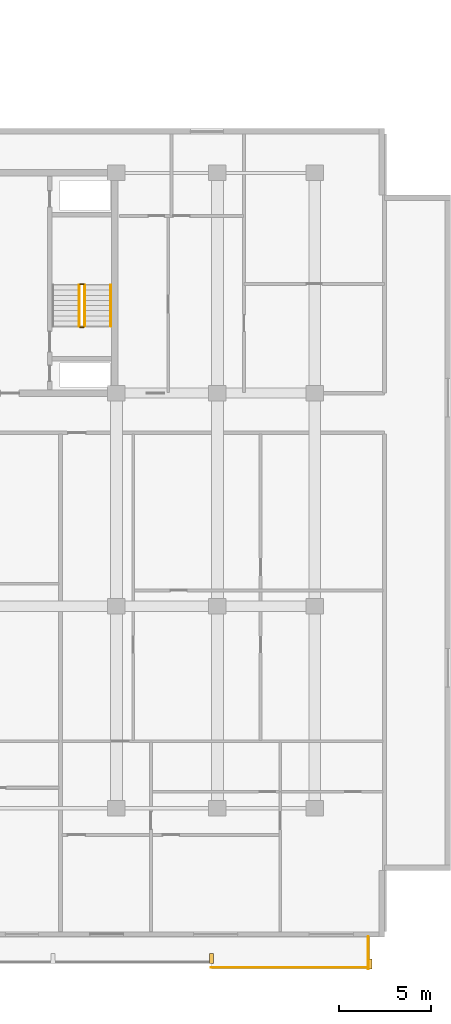
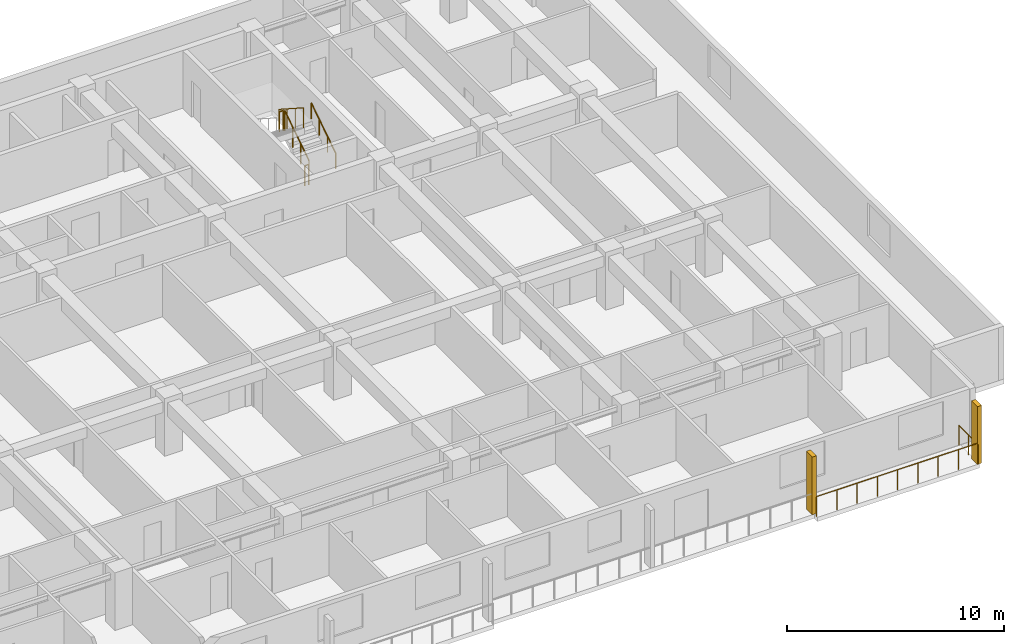
# One storey, part 21 of 23: 7 railings, 2 shading devices.
"""IFC4 building model written with IfcOpenShell, lengths in metres."""

from ifc_helpers import new_model, si_unit, direction, frame, origin, origin_2d, place, context, subcontext, project, spatial, rectangle, circle, extrude, material, type_object, element, save


model = new_model("IFC4")

# Units and contexts
model_context = context("Model", 3, precision=1e-05, world=origin(), true_north=direction((0.0, 1.0)))
body_context = subcontext(model_context, "Body", "Model", "MODEL_VIEW")
ifc_project = project(units=[si_unit("LENGTHUNIT", "METRE"), si_unit("AREAUNIT", "SQUARE_METRE"), si_unit("VOLUMEUNIT", "CUBIC_METRE"), si_unit("PLANEANGLEUNIT", "RADIAN"), si_unit("MASSUNIT", "GRAM", prefix="KILO")], contexts=[model_context])

# Site, building, storey
site_placement = place(None, origin())
site = spatial("IfcSite", under=ifc_project, at=site_placement, CompositionType="ELEMENT")
building_placement = place(site_placement, origin())
building = spatial("IfcBuilding", under=site, at=building_placement, Name="Korimba Cascade Residences", CompositionType="ELEMENT")
storey_placement = place(building_placement, frame((0.0, 0.0, 59.75)))
storey = spatial("IfcBuildingStorey", under=building, at=storey_placement, Name="L16", CompositionType="ELEMENT", Elevation=59.75)

# Railings
ifc_material_1 = material(Name="Laminated Glass and Bronze Balustrade", Category="glass")
railing_type_1 = type_object("IfcRailingType", Name="RLG-LOG-1150", PredefinedType="BALUSTRADE", material=ifc_material_1)
railing_1_placement = place(storey_placement, frame((123.271484375, -12.8701171875, 0.0)))
element("IfcRailing", 1, at=railing_1_placement, inside=storey, type_object=railing_type_1, Name="L16 Perimeter Guardrail RLG-L16-T2-LOG-06", PredefinedType="BALUSTRADE", context=body_context, shape_type="SweptSolid", body=[
    extrude(circle(Radius=0.02392578125, at=origin_2d()), frame((0.0, 0.0, 1.1259765625), z_axis=(1.0, 0.0, 0.0), x_axis=(0.0, 1.0, 0.0)), (0.0, 0.0, 1.0), 8.62841796875),
    extrude(circle(Radius=0.02099609375, at=origin_2d()), origin(), (0.0, 0.0, 1.0), 1.101806640625),
    extrude(circle(Radius=0.02099609375, at=origin_2d()), frame((1.07861328125, 0.0, 0.0)), (0.0, 0.0, 1.0), 1.101806640625),
    extrude(circle(Radius=0.02099609375, at=origin_2d()), frame((2.1572265625, 0.0, 0.0)), (0.0, 0.0, 1.0), 1.101806640625),
    extrude(circle(Radius=0.02099609375, at=origin_2d()), frame((3.235595703125, 0.0, 0.0)), (0.0, 0.0, 1.0), 1.101806640625),
    extrude(circle(Radius=0.02099609375, at=origin_2d()), frame((4.314208984375, 0.0, 0.0)), (0.0, 0.0, 1.0), 1.101806640625),
    extrude(circle(Radius=0.02099609375, at=origin_2d()), frame((5.392822265625, 0.0, 0.0)), (0.0, 0.0, 1.0), 1.101806640625),
    extrude(circle(Radius=0.02099609375, at=origin_2d()), frame((6.47119140625, 0.0, 0.0)), (0.0, 0.0, 1.0), 1.101806640625),
    extrude(circle(Radius=0.02099609375, at=origin_2d()), frame((7.5498046875, 0.0, 0.0)), (0.0, 0.0, 1.0), 1.101806640625),
    extrude(circle(Radius=0.02099609375, at=origin_2d()), frame((8.62841796875, 0.0, 0.0)), (0.0, 0.0, 1.0), 1.101806640625),
])
railing_2_placement = place(storey_placement, frame((131.820068359375, -12.949951171875, 0.0)))
element("IfcRailing", 2, at=railing_2_placement, inside=storey, type_object=railing_type_1, Name="L16 Perimeter Guardrail RLG-L16-T2-LOG-07", PredefinedType="BALUSTRADE", context=body_context, shape_type="SweptSolid", body=[
    extrude(circle(Radius=0.02392578125, at=origin_2d()), frame((0.0, 0.0, 1.1259765625), z_axis=(0.0, 1.0, 0.0), x_axis=(-1.0, 0.0, 0.0)), (0.0, 0.0, 1.0), 1.75),
    extrude(circle(Radius=0.02099609375, at=origin_2d()), origin(), (0.0, 0.0, 1.0), 1.101806640625),
    extrude(circle(Radius=0.02099609375, at=origin_2d()), frame((0.0, 0.875, 0.0)), (0.0, 0.0, 1.0), 1.101806640625),
    extrude(circle(Radius=0.02099609375, at=origin_2d()), frame((0.0, 1.75, 0.0)), (0.0, 0.0, 1.0), 1.101806640625),
])
ifc_material_2 = material(Name="Painted Steel Stairwell Guardrail", Category="steel")
railing_type_2 = type_object("IfcRailingType", Name="RLG-ST-GD1150", PredefinedType="GUARDRAIL", material=ifc_material_2)
railing_3_placement = place(storey_placement, frame((116.3701171875, 22.050048828125, 0.1806640625)))
element("IfcRailing", 3, at=railing_3_placement, inside=storey, type_object=railing_type_2, Name="L16 ST-E2 stair guard 1", PredefinedType="GUARDRAIL", context=body_context, shape_type="SweptSolid", body=[
    extrude(circle(Radius=0.02392578125, at=origin_2d()), frame((0.0, 0.0, 1.1259765625), z_axis=(0.0, 0.840436612492, 0.541909863706), x_axis=(-1.0, 0.0, 0.0)), (0.0, 0.0, 1.0), 2.665283203125),
    extrude(circle(Radius=0.02099609375, at=origin_2d()), origin(), (0.0, 0.0, 1.0), 1.101806640625),
    extrude(circle(Radius=0.02099609375, at=origin_2d()), frame((0.0, 0.74658203125, 0.4814453125)), (0.0, 0.0, 1.0), 1.101806640625),
    extrude(circle(Radius=0.02099609375, at=origin_2d()), frame((0.0, 1.493408203125, 0.962890625)), (0.0, 0.0, 1.0), 1.101806640625),
    extrude(circle(Radius=0.02099609375, at=origin_2d()), frame((0.0, 2.239990234375, 1.4443359375)), (0.0, 0.0, 1.0), 1.101806640625),
])
railing_4_placement = place(storey_placement, frame((116.320068359375, 24.340087890625, 1.625)))
element("IfcRailing", 4, at=railing_4_placement, inside=storey, type_object=railing_type_2, Name="L16 ST-E2 stair guard 2", PredefinedType="GUARDRAIL", context=body_context, shape_type="SweptSolid", body=[
    extrude(circle(Radius=0.02392578125, at=origin_2d()), frame((0.0, 0.0, 1.1259765625), z_axis=(-1.0, 0.0, 0.0), x_axis=(0.0, -1.0, 0.0)), (0.0, 0.0, 1.0), 0.199951171875),
    extrude(circle(Radius=0.02099609375, at=origin_2d()), origin(), (0.0, 0.0, 1.0), 1.101806640625),
    extrude(circle(Radius=0.02099609375, at=origin_2d()), frame((-0.199951171875, 0.0, 0.0)), (0.0, 0.0, 1.0), 1.101806640625),
])
railing_5_placement = place(storey_placement, frame((116.070068359375, 24.2900390625, 1.8056640625)))
element("IfcRailing", 5, at=railing_5_placement, inside=storey, type_object=railing_type_2, Name="L16 ST-E2 stair guard 3", PredefinedType="GUARDRAIL", context=body_context, shape_type="SweptSolid", body=[
    extrude(circle(Radius=0.02392578125, at=origin_2d()), frame((0.0, 0.0, 1.1259765625), z_axis=(0.0, -0.840436612492, 0.541909863706), x_axis=(1.0, 0.0, 0.0)), (0.0, 0.0, 1.0), 2.665283203125),
    extrude(circle(Radius=0.02099609375, at=origin_2d()), origin(), (0.0, 0.0, 1.0), 1.101806640625),
    extrude(circle(Radius=0.02099609375, at=origin_2d()), frame((0.0, -0.74658203125, 0.4814453125)), (0.0, 0.0, 1.0), 1.101806640625),
    extrude(circle(Radius=0.02099609375, at=origin_2d()), frame((0.0, -1.493408203125, 0.962890625)), (0.0, 0.0, 1.0), 1.101806640625),
    extrude(circle(Radius=0.02099609375, at=origin_2d()), frame((0.0, -2.239990234375, 1.4443359375)), (0.0, 0.0, 1.0), 1.101806640625),
])
railing_6_placement = place(storey_placement, frame((116.320068359375, 22.0, 0.0)))
element("IfcRailing", 6, at=railing_6_placement, inside=storey, type_object=railing_type_2, Name="L16 ST-E2 stair guard 4", PredefinedType="GUARDRAIL", context=body_context, shape_type="SweptSolid", body=[
    extrude(circle(Radius=0.02392578125, at=origin_2d()), frame((0.0, 0.0, 1.1259765625), z_axis=(-1.0, 0.0, 0.0), x_axis=(0.0, -1.0, 0.0)), (0.0, 0.0, 1.0), 0.199951171875),
    extrude(circle(Radius=0.02099609375, at=origin_2d()), origin(), (0.0, 0.0, 1.0), 1.101806640625),
    extrude(circle(Radius=0.02099609375, at=origin_2d()), frame((-0.199951171875, 0.0, 0.0)), (0.0, 0.0, 1.0), 1.101806640625),
])
ifc_material_3 = material(Name="Brushed Stainless Steel Handrail", Category="steel")
railing_type_3 = type_object("IfcRailingType", Name="RLG-ST-HR900", PredefinedType="HANDRAIL", material=ifc_material_3)
railing_7_placement = place(storey_placement, frame((117.7900390625, 22.050048828125, 0.364990234375)))
element("IfcRailing", 7, at=railing_7_placement, inside=storey, type_object=railing_type_3, Name="L16 ST-E2 stair handrail 1", PredefinedType="HANDRAIL", context=body_context, shape_type="SweptSolid", body=[
    extrude(circle(Radius=0.02392578125, at=origin_2d()), frame((0.0, 0.0, 0.8759765625), z_axis=(0.0, 0.840436612492, 0.541909863706), x_axis=(-1.0, 0.0, 0.0)), (0.0, 0.0, 1.0), 2.665283203125),
    extrude(circle(Radius=0.02099609375, at=origin_2d()), origin(), (0.0, 0.0, 1.0), 0.851806640625),
    extrude(circle(Radius=0.02099609375, at=origin_2d()), frame((0.0, 0.74658203125, 0.4814453125)), (0.0, 0.0, 1.0), 0.851806640625),
    extrude(circle(Radius=0.02099609375, at=origin_2d()), frame((0.0, 1.493408203125, 0.962890625)), (0.0, 0.0, 1.0), 0.851806640625),
    extrude(circle(Radius=0.02099609375, at=origin_2d()), frame((0.0, 2.239990234375, 1.4443359375)), (0.0, 0.0, 1.0), 0.851806640625),
])

# Shading devices
ifc_material_4 = material(Name="Honed Sandstone Precast Fin", Category="masonry")
shading_device_type = type_object("IfcShadingDeviceType", Name="SHD-FIN-550", PredefinedType="USERDEFINED", material=ifc_material_4)
for number, where, z_axis, x_axis, name in (
    (8, (123.271484375, -12.375, 0.0), (0.0, 0.0, 1.0), (1.0, 0.0, 0.0), "L16 T2 Warm-Stone Loggia Fin 7"),
    (9, (131.89990234375, -12.675048828125, 0.0), (0.0, 0.0, 1.0), (1.0, 0.0, 0.0), "L16 T2 Warm-Stone Loggia Fin 8"),
):
    element("IfcShadingDevice", number, at=place(storey_placement, frame(where, z_axis=z_axis, x_axis=x_axis)), inside=storey, type_object=shading_device_type, Name=name, ObjectType="FIN", PredefinedType="USERDEFINED", context=body_context, shape_type="SweptSolid", body=[
        extrude(rectangle(XDim=0.219970703125, YDim=0.550048828125, at=origin_2d()), origin(), (0.0, 0.0, 1.0), 3.25),
    ])

save(model, "model.ifc")
